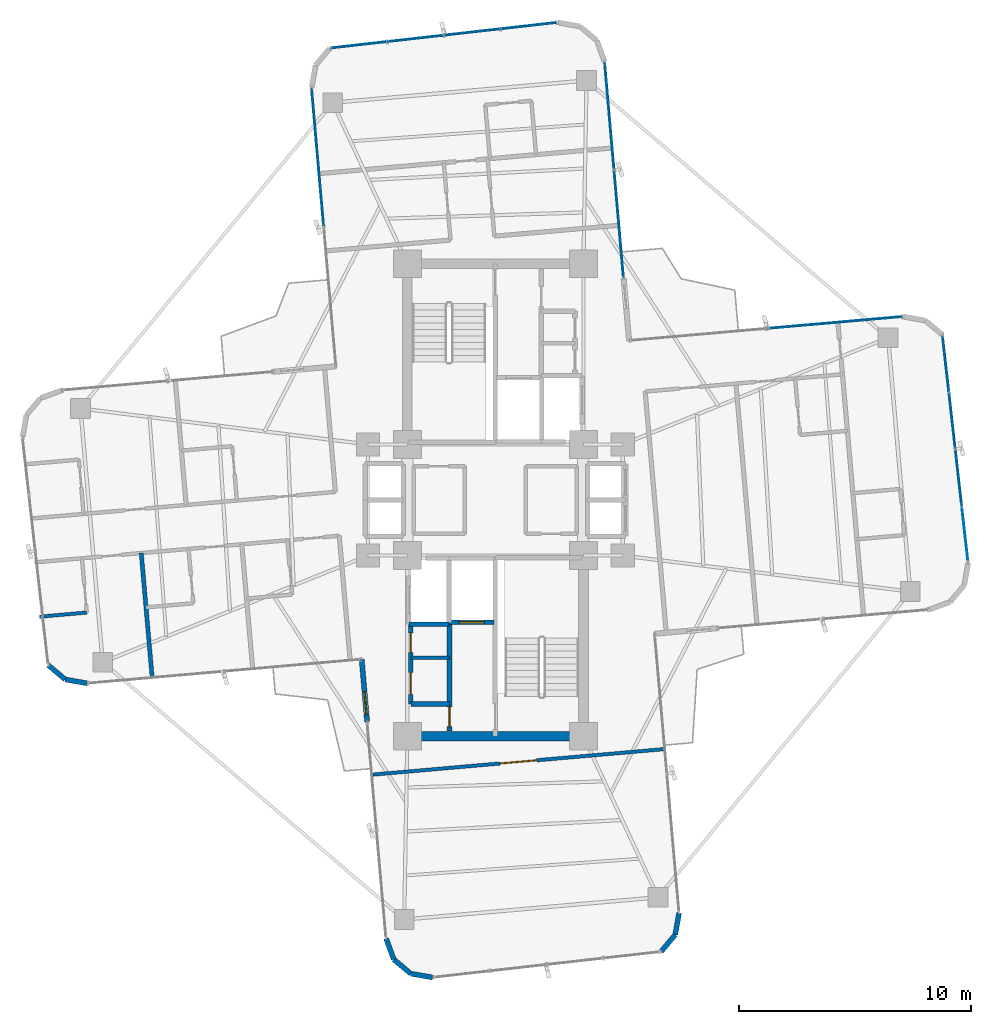
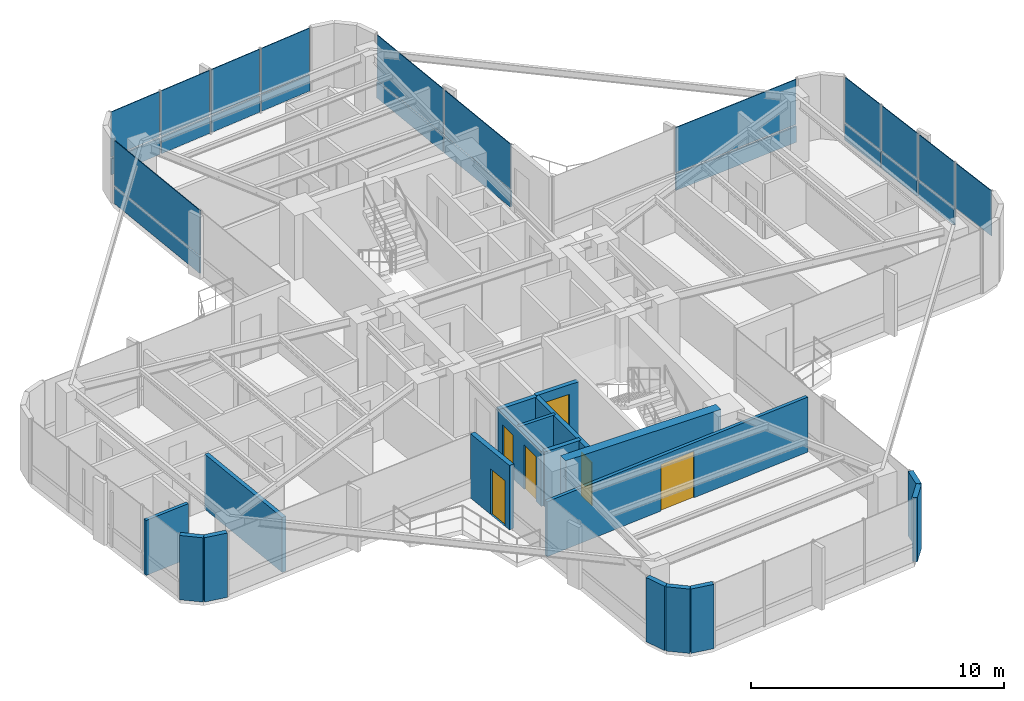
# One storey, part 20 of 24: 23 plates, 18 walls, 6 doors, 6 openings, 5 elements without a shape of their own.
"""IFC4 building model written with IfcOpenShell, lengths in metres."""

from ifc_helpers import new_model, si_unit, direction, frame, frame_2d, origin, origin_2d, place, context, subcontext, project, spatial, rectangle, extrude, source, transform, mapped, material, layer, layer_set, type_object, element, fill, aggregate, save


model = new_model("IFC4")

# Units and contexts
model_context = context("Model", 3, precision=1e-05, world=origin(), true_north=direction((0.0, 1.0)))
body_context = subcontext(model_context, "Body", "Model", "MODEL_VIEW")
ifc_project = project(units=[si_unit("LENGTHUNIT", "METRE"), si_unit("AREAUNIT", "SQUARE_METRE"), si_unit("VOLUMEUNIT", "CUBIC_METRE"), si_unit("PLANEANGLEUNIT", "RADIAN"), si_unit("MASSUNIT", "GRAM", prefix="KILO")], contexts=[model_context])

# Site, building, storey
site_placement = place(None, origin())
site = spatial("IfcSite", under=ifc_project, at=site_placement, CompositionType="ELEMENT")
building_placement = place(site_placement, origin())
building = spatial("IfcBuilding", under=site, at=building_placement, Name="Sahyath Konkavel Grand Hotel", CompositionType="ELEMENT")
storey_placement = place(building_placement, frame((0.0, 0.0, 178.550048828125)))
storey = spatial("IfcBuildingStorey", under=building, at=storey_placement, Name="L49", CompositionType="ELEMENT", Elevation=178.550048828125)

# Curtain wall, plates
ifc_material_1 = material(Name="Anodised Bronze Aluminium & Low-E Glazing", Category="aluminium")
curtain_wall_type = type_object("IfcCurtainWallType", Name="CW-ZONE3", PredefinedType="NOTDEFINED", material=ifc_material_1)
curtain_wall_1_placement = place(storey_placement, origin())
curtain_wall_1 = element("IfcCurtainWall", 1, at=curtain_wall_1_placement, inside=storey, type_object=curtain_wall_type, Name="L49 Unitised Curtain Wall F4", PredefinedType="NOTDEFINED")
ifc_material_2 = material(Name="Warm Buff Sandstone Cladding", Category="masonry")
ifc_layer_1 = layer(ifc_material_2, 0.074951171875)
ifc_layer_set_1 = layer_set([ifc_layer_1], Name="Warm Buff Sandstone Cladding")
plate_type_1 = type_object("IfcPlateType", Name="PNL-SPANDREL-STONE", PredefinedType="SHEET", material=ifc_layer_set_1)
shared_shape_1 = source(origin(), body_context, "Body", "SweptSolid", [
    extrude(rectangle(XDim=2.382080078125, YDim=0.074951171875, at=origin_2d()), origin(), (0.0, 0.0, 1.0), 0.77001953125),
])
plate_1_placement = place(storey_placement, frame((19.99755859375, 0.978515625, 0.0400390625), z_axis=(0.0, 0.0, 1.0), x_axis=(-0.111989252568, 0.993709417943, 0.0)))
plate_1 = element("IfcPlate", 2, at=plate_1_placement, type_object=plate_type_1, Name="L49 Sandstone Relief Spandrel Panel F4-1", PredefinedType="SHEET", context=body_context, shape_type="MappedRepresentation", body=[
    mapped(shared_shape_1, transform((0.0, 0.0, 0.0), scale=1.0)),
])
plate_2_placement = place(storey_placement, frame((19.7216796875, 3.425048828125, 0.0400390625), z_axis=(0.0, 0.0, 1.0), x_axis=(-0.111989252568, 0.993709417943, 0.0)))
plate_2 = element("IfcPlate", 3, at=plate_2_placement, type_object=plate_type_1, Name="L49 Sandstone Relief Spandrel Panel F4-2", PredefinedType="SHEET", context=body_context, shape_type="MappedRepresentation", body=[
    mapped(shared_shape_1, transform((0.0, 0.0, 0.0), scale=1.0)),
])
plate_3_placement = place(storey_placement, frame((19.446044921875, 5.87158203125, 0.0400390625), z_axis=(0.0, 0.0, 1.0), x_axis=(-0.111989252568, 0.993709417943, 0.0)))
plate_3 = element("IfcPlate", 4, at=plate_3_placement, type_object=plate_type_1, Name="L49 Sandstone Relief Spandrel Panel F4-3", PredefinedType="SHEET", context=body_context, shape_type="MappedRepresentation", body=[
    mapped(shared_shape_1, transform((0.0, 0.0, 0.0), scale=1.0)),
])

curtain_wall_2_placement = place(storey_placement, origin())
curtain_wall_2 = element("IfcCurtainWall", 5, at=curtain_wall_2_placement, inside=storey, type_object=curtain_wall_type, Name="L49 Unitised Curtain Wall F12", PredefinedType="NOTDEFINED")
plate_4_placement = place(storey_placement, frame((1.45068359375, 20.47265625, 0.0400390625), z_axis=(0.0, 0.0, 1.0), x_axis=(-0.993707463211, -0.112006596052, 0.0)))
plate_4 = element("IfcPlate", 6, at=plate_4_placement, type_object=plate_type_1, Name="L49 Sandstone Relief Spandrel Panel F12-0", PredefinedType="SHEET", context=body_context, shape_type="MappedRepresentation", body=[
    mapped(shared_shape_1, transform((0.0, 0.0, 0.0), scale=1.0)),
])
plate_5_placement = place(storey_placement, frame((-0.995849609375, 20.197021484375, 0.0400390625), z_axis=(0.0, 0.0, 1.0), x_axis=(-0.993707463211, -0.112006596052, 0.0)))
plate_5 = element("IfcPlate", 7, at=plate_5_placement, type_object=plate_type_1, Name="L49 Sandstone Relief Spandrel Panel F12-1", PredefinedType="SHEET", context=body_context, shape_type="MappedRepresentation", body=[
    mapped(shared_shape_1, transform((0.0, 0.0, 0.0), scale=1.0)),
])
plate_6_placement = place(storey_placement, frame((-3.4423828125, 19.921142578125, 0.0400390625), z_axis=(0.0, 0.0, 1.0), x_axis=(-0.993707463211, -0.112006596052, 0.0)))
plate_6 = element("IfcPlate", 8, at=plate_6_placement, type_object=plate_type_1, Name="L49 Sandstone Relief Spandrel Panel F12-2", PredefinedType="SHEET", context=body_context, shape_type="MappedRepresentation", body=[
    mapped(shared_shape_1, transform((0.0, 0.0, 0.0), scale=1.0)),
])
plate_7_placement = place(storey_placement, frame((-5.888916015625, 19.6455078125, 0.0400390625), z_axis=(0.0, 0.0, 1.0), x_axis=(-0.993707463211, -0.112006596052, 0.0)))
plate_7 = element("IfcPlate", 9, at=plate_7_placement, type_object=plate_type_1, Name="L49 Sandstone Relief Spandrel Panel F12-3", PredefinedType="SHEET", context=body_context, shape_type="MappedRepresentation", body=[
    mapped(shared_shape_1, transform((0.0, 0.0, 0.0), scale=1.0)),
])

# Curtain wall, plate
curtain_wall_3_placement = place(storey_placement, origin())
curtain_wall_3 = element("IfcCurtainWall", 10, at=curtain_wall_3_placement, inside=storey, type_object=curtain_wall_type, Name="L49 Unitised Curtain Wall F7", PredefinedType="NOTDEFINED")
shared_shape_2 = source(origin(), body_context, "Body", "SweptSolid", [
    extrude(rectangle(XDim=5.830078125, YDim=0.074951171875, at=origin_2d()), origin(), (0.0, 0.0, 1.0), 0.77001953125),
])
plate_8_placement = place(storey_placement, frame((14.6435546875, 7.655517578125, 0.0400390625), z_axis=(0.0, 0.0, 1.0), x_axis=(-0.996194698092, -0.087155742748, 0.0)))
plate_8 = element("IfcPlate", 11, at=plate_8_placement, type_object=plate_type_1, Name="L49 Sandstone Relief Spandrel Panel F7-0", PredefinedType="SHEET", context=body_context, shape_type="MappedRepresentation", body=[
    mapped(shared_shape_2, transform((0.0, 0.0, 0.0), scale=1.0)),
])

# Curtain wall, plates
curtain_wall_4_placement = place(storey_placement, origin())
curtain_wall_4 = element("IfcCurtainWall", 12, at=curtain_wall_4_placement, inside=storey, type_object=curtain_wall_type, Name="L49 Unitised Curtain Wall F8", PredefinedType="NOTDEFINED")
shared_shape_3 = source(origin(), body_context, "Body", "SweptSolid", [
    extrude(rectangle(XDim=4.580078125, YDim=0.074951171875, at=origin_2d()), origin(), (0.0, 0.0, 1.0), 0.77001953125),
])
plate_9_placement = place(storey_placement, frame((5.33056640625, 11.929931640625, 0.0400390625), z_axis=(0.0, 0.0, 1.0), x_axis=(-0.087155742748, 0.996194698092, 0.0)))
plate_9 = element("IfcPlate", 13, at=plate_9_placement, type_object=plate_type_1, Name="L49 Sandstone Relief Spandrel Panel F8-0", PredefinedType="SHEET", context=body_context, shape_type="MappedRepresentation", body=[
    mapped(shared_shape_3, transform((0.0, 0.0, 0.0), scale=1.0)),
])
plate_10_placement = place(storey_placement, frame((4.92431640625, 16.572265625, 0.0400390625), z_axis=(0.0, 0.0, 1.0), x_axis=(-0.087155742748, 0.996194698092, 0.0)))
plate_10 = element("IfcPlate", 14, at=plate_10_placement, type_object=plate_type_1, Name="L49 Sandstone Relief Spandrel Panel F8-1", PredefinedType="SHEET", context=body_context, shape_type="MappedRepresentation", body=[
    mapped(shared_shape_3, transform((0.0, 0.0, 0.0), scale=1.0)),
])

# Curtain wall, plate
curtain_wall_5_placement = place(storey_placement, origin())
curtain_wall_5 = element("IfcCurtainWall", 15, at=curtain_wall_5_placement, inside=storey, type_object=curtain_wall_type, Name="L49 Unitised Curtain Wall F15", PredefinedType="NOTDEFINED")
shared_shape_4 = source(origin(), body_context, "Body", "SweptSolid", [
    extrude(rectangle(XDim=5.929931640625, YDim=0.074951171875, at=origin_2d()), origin(), (0.0, 0.0, 1.0), 0.77001953125),
])
plate_11_placement = place(storey_placement, frame((-7.66845703125, 14.79296875, 0.0400390625), z_axis=(0.0, 0.0, 1.0), x_axis=(0.087155742748, -0.996194698092, 0.0)))
plate_11 = element("IfcPlate", 16, at=plate_11_placement, type_object=plate_type_1, Name="L49 Sandstone Relief Spandrel Panel F15-0", PredefinedType="SHEET", context=body_context, shape_type="MappedRepresentation", body=[
    mapped(shared_shape_4, transform((0.0, 0.0, 0.0), scale=1.0)),
])

# Plate
ifc_material_3 = material(Name="Low-E Solar Control Double Glazing", Category="glass")
ifc_layer_2 = layer(ifc_material_3, 0.035888671875)
ifc_layer_set_2 = layer_set([ifc_layer_2], Name="Low-E Solar Control Double Glazing")
plate_type_2 = type_object("IfcPlateType", Name="PNL-VISION-LOWE", PredefinedType="CURTAIN_PANEL", material=ifc_layer_set_2)
shared_shape_5 = source(origin(), body_context, "Body", "SweptSolid", [
    extrude(rectangle(XDim=2.382080078125, YDim=0.035888671875, at=origin_2d()), origin(), (0.0, 0.0, 1.0), 2.179931640625),
])
plate_12_placement = place(storey_placement, frame((20.2734375, -1.468017578125, 0.89013671875), z_axis=(0.0, 0.0, 1.0), x_axis=(-0.111989252568, 0.993709417943, 0.0)))
plate_12 = element("IfcPlate", 17, at=plate_12_placement, type_object=plate_type_2, Name="L49 Low-E Vision Glazing Panel F4-0", PredefinedType="CURTAIN_PANEL", context=body_context, shape_type="MappedRepresentation", body=[
    mapped(shared_shape_5, transform((0.0, 0.0, 0.0), scale=1.0)),
])

plate_13_placement = place(storey_placement, frame((19.99755859375, 0.978515625, 0.89013671875), z_axis=(0.0, 0.0, 1.0), x_axis=(-0.111989252568, 0.993709417943, 0.0)))
plate_13 = element("IfcPlate", 18, at=plate_13_placement, type_object=plate_type_2, Name="L49 Low-E Vision Glazing Panel F4-1", PredefinedType="CURTAIN_PANEL", context=body_context, shape_type="MappedRepresentation", body=[
    mapped(shared_shape_5, transform((0.0, 0.0, 0.0), scale=1.0)),
])

plate_14_placement = place(storey_placement, frame((19.7216796875, 3.425048828125, 0.89013671875), z_axis=(0.0, 0.0, 1.0), x_axis=(-0.111989252568, 0.993709417943, 0.0)))
plate_14 = element("IfcPlate", 19, at=plate_14_placement, type_object=plate_type_2, Name="L49 Low-E Vision Glazing Panel F4-2", PredefinedType="CURTAIN_PANEL", context=body_context, shape_type="MappedRepresentation", body=[
    mapped(shared_shape_5, transform((0.0, 0.0, 0.0), scale=1.0)),
])

plate_15_placement = place(storey_placement, frame((19.446044921875, 5.87158203125, 0.89013671875), z_axis=(0.0, 0.0, 1.0), x_axis=(-0.111989252568, 0.993709417943, 0.0)))
plate_15 = element("IfcPlate", 20, at=plate_15_placement, type_object=plate_type_2, Name="L49 Low-E Vision Glazing Panel F4-3", PredefinedType="CURTAIN_PANEL", context=body_context, shape_type="MappedRepresentation", body=[
    mapped(shared_shape_5, transform((0.0, 0.0, 0.0), scale=1.0)),
])

aggregate(curtain_wall_1, [plate_12, plate_1, plate_13, plate_2, plate_14, plate_3, plate_15])

plate_16_placement = place(storey_placement, frame((1.45068359375, 20.47265625, 0.89013671875), z_axis=(0.0, 0.0, 1.0), x_axis=(-0.993707463211, -0.112006596052, 0.0)))
plate_16 = element("IfcPlate", 21, at=plate_16_placement, type_object=plate_type_2, Name="L49 Low-E Vision Glazing Panel F12-0", PredefinedType="CURTAIN_PANEL", context=body_context, shape_type="MappedRepresentation", body=[
    mapped(shared_shape_5, transform((0.0, 0.0, 0.0), scale=1.0)),
])

plate_17_placement = place(storey_placement, frame((-0.995849609375, 20.197021484375, 0.89013671875), z_axis=(0.0, 0.0, 1.0), x_axis=(-0.993707463211, -0.112006596052, 0.0)))
plate_17 = element("IfcPlate", 22, at=plate_17_placement, type_object=plate_type_2, Name="L49 Low-E Vision Glazing Panel F12-1", PredefinedType="CURTAIN_PANEL", context=body_context, shape_type="MappedRepresentation", body=[
    mapped(shared_shape_5, transform((0.0, 0.0, 0.0), scale=1.0)),
])

plate_18_placement = place(storey_placement, frame((-3.4423828125, 19.921142578125, 0.89013671875), z_axis=(0.0, 0.0, 1.0), x_axis=(-0.993707463211, -0.112006596052, 0.0)))
plate_18 = element("IfcPlate", 23, at=plate_18_placement, type_object=plate_type_2, Name="L49 Low-E Vision Glazing Panel F12-2", PredefinedType="CURTAIN_PANEL", context=body_context, shape_type="MappedRepresentation", body=[
    mapped(shared_shape_5, transform((0.0, 0.0, 0.0), scale=1.0)),
])

plate_19_placement = place(storey_placement, frame((-5.888916015625, 19.6455078125, 0.89013671875), z_axis=(0.0, 0.0, 1.0), x_axis=(-0.993707463211, -0.112006596052, 0.0)))
plate_19 = element("IfcPlate", 24, at=plate_19_placement, type_object=plate_type_2, Name="L49 Low-E Vision Glazing Panel F12-3", PredefinedType="CURTAIN_PANEL", context=body_context, shape_type="MappedRepresentation", body=[
    mapped(shared_shape_5, transform((0.0, 0.0, 0.0), scale=1.0)),
])

aggregate(curtain_wall_2, [plate_4, plate_16, plate_5, plate_17, plate_6, plate_18, plate_7, plate_19])

shared_shape_6 = source(origin(), body_context, "Body", "SweptSolid", [
    extrude(rectangle(XDim=5.830078125, YDim=0.035888671875, at=origin_2d()), origin(), (0.0, 0.0, 1.0), 2.179931640625),
])
plate_20_placement = place(storey_placement, frame((14.6435546875, 7.655517578125, 0.89013671875), z_axis=(0.0, 0.0, 1.0), x_axis=(-0.996194698092, -0.087155742748, 0.0)))
plate_20 = element("IfcPlate", 25, at=plate_20_placement, type_object=plate_type_2, Name="L49 Low-E Vision Glazing Panel F7-0", PredefinedType="CURTAIN_PANEL", context=body_context, shape_type="MappedRepresentation", body=[
    mapped(shared_shape_6, transform((0.0, 0.0, 0.0), scale=1.0)),
])

aggregate(curtain_wall_3, [plate_8, plate_20])

shared_shape_7 = source(origin(), body_context, "Body", "SweptSolid", [
    extrude(rectangle(XDim=4.580078125, YDim=0.035888671875, at=origin_2d()), origin(), (0.0, 0.0, 1.0), 2.179931640625),
])
plate_21_placement = place(storey_placement, frame((5.33056640625, 11.929931640625, 0.89013671875), z_axis=(0.0, 0.0, 1.0), x_axis=(-0.087155742748, 0.996194698092, 0.0)))
plate_21 = element("IfcPlate", 26, at=plate_21_placement, type_object=plate_type_2, Name="L49 Low-E Vision Glazing Panel F8-0", PredefinedType="CURTAIN_PANEL", context=body_context, shape_type="MappedRepresentation", body=[
    mapped(shared_shape_7, transform((0.0, 0.0, 0.0), scale=1.0)),
])

plate_22_placement = place(storey_placement, frame((4.92431640625, 16.572265625, 0.89013671875), z_axis=(0.0, 0.0, 1.0), x_axis=(-0.087155742748, 0.996194698092, 0.0)))
plate_22 = element("IfcPlate", 27, at=plate_22_placement, type_object=plate_type_2, Name="L49 Low-E Vision Glazing Panel F8-1", PredefinedType="CURTAIN_PANEL", context=body_context, shape_type="MappedRepresentation", body=[
    mapped(shared_shape_7, transform((0.0, 0.0, 0.0), scale=1.0)),
])

aggregate(curtain_wall_4, [plate_9, plate_21, plate_10, plate_22])

shared_shape_8 = source(origin(), body_context, "Body", "SweptSolid", [
    extrude(rectangle(XDim=5.929931640625, YDim=0.035888671875, at=origin_2d()), origin(), (0.0, 0.0, 1.0), 2.179931640625),
])
plate_23_placement = place(storey_placement, frame((-7.66845703125, 14.79296875, 0.89013671875), z_axis=(0.0, 0.0, 1.0), x_axis=(0.087155742748, -0.996194698092, 0.0)))
plate_23 = element("IfcPlate", 28, at=plate_23_placement, type_object=plate_type_2, Name="L49 Low-E Vision Glazing Panel F15-0", PredefinedType="CURTAIN_PANEL", context=body_context, shape_type="MappedRepresentation", body=[
    mapped(shared_shape_8, transform((0.0, 0.0, 0.0), scale=1.0)),
])

aggregate(curtain_wall_5, [plate_11, plate_23])

# Walls
ifc_material_4 = material(Name="Concrete C50/60", Category="concrete")
ifc_layer_3 = layer(ifc_material_4, 0.419921875)
ifc_layer_set_3 = layer_set([ifc_layer_3], Name="Concrete C50/60")
wall_type_1 = type_object("IfcWallType", Name="CWALL-420", PredefinedType="SHEAR", material=ifc_layer_set_3)
wall_1_placement = place(storey_placement, frame((-3.550048828125, -10.199951171875, 0.0), z_axis=(0.0, 0.0, 1.0), x_axis=(1.0, 0.0, 0.0)))
element("IfcWall", 29, at=wall_1_placement, inside=storey, type_object=wall_type_1, Name="L49 South Core Shear Wall S", PredefinedType="SHEAR", context=body_context, shape_type="SweptSolid", body=[
    extrude(rectangle(XDim=7.10009765625, YDim=0.419921875, at=frame_2d((3.550048828125, 0.0))), origin(), (0.0, 0.0, 1.0), 3.10986328125),
])
ifc_material_5 = material(Name="Warm Buff Sandstone Insulated Concrete C40/50", Category="masonry")
ifc_layer_4 = layer(ifc_material_5, 0.219970703125)
ifc_layer_set_4 = layer_set([ifc_layer_4], Name="Warm Buff Sandstone Insulated Concrete C40/50")
wall_type_2 = type_object("IfcWallType", Name="WLL-BALC-THRESH", PredefinedType="STANDARD", material=ifc_layer_set_4)
wall_2_placement = place(storey_placement, frame((-19.3037109375, -7.134521484375, 0.0), z_axis=(0.0, 0.0, 1.0), x_axis=(0.766001159887, -0.642839189107, 0.0)))
element("IfcWall", 30, at=wall_2_placement, inside=storey, type_object=wall_type_2, Name="L49 Rounded Corner Sandstone Pier 21", PredefinedType="STANDARD", context=body_context, shape_type="SweptSolid", body=[
    extrude(rectangle(XDim=0.95751953125, YDim=0.219970703125, at=frame_2d((0.478759765625, 0.0))), origin(), (0.0, 0.0, 1.0), 3.10986328125),
])
wall_3_placement = place(storey_placement, frame((-18.5703125, -7.75, 0.0), z_axis=(0.0, 0.0, 1.0), x_axis=(0.984770724397, -0.173858046606, 0.0)))
element("IfcWall", 31, at=wall_3_placement, inside=storey, type_object=wall_type_2, Name="L49 Rounded Corner Sandstone Pier 22", PredefinedType="STANDARD", context=body_context, shape_type="SweptSolid", body=[
    extrude(rectangle(XDim=0.957763671875, YDim=0.219970703125, at=frame_2d((0.47900390625, 0.0))), origin(), (0.0, 0.0, 1.0), 3.10986328125),
])

# Wall, opening, door
wall_4_placement = place(storey_placement, frame((-5.7724609375, -6.87939453125, 0.0), z_axis=(0.0, 0.0, 1.0), x_axis=(0.087168071984, -0.996193619346, 0.0)))
wall_4 = element("IfcWall", 32, at=wall_4_placement, inside=storey, type_object=wall_type_2, Name="L49 Winter-Garden Threshold Wall 24", PredefinedType="STANDARD", context=body_context, shape_type="SweptSolid", body=[
    extrude(rectangle(XDim=2.699951171875, YDim=0.219970703125, at=frame_2d((1.35009765625, 0.0))), origin(), (0.0, 0.0, 1.0), 3.10986328125),
])
opening_1_placement = place(wall_4_placement, frame((1.39990234375, 0.0, 0.0)))
opening_1 = element("IfcOpeningElement", 33, at=opening_1_placement, cuts=wall_4, Name="Opening D-TR1", PredefinedType="OPENING", context=body_context, shape_type="SweptSolid", body=[
    extrude(rectangle(XDim=1.0, YDim=2.199951171875, at=frame_2d((0.5, 1.10009765625))), frame((0.0, 0.1201171875, 0.0), z_axis=(0.0, -1.0, 0.0), x_axis=(1.0, 0.0, 0.0)), (0.0, 0.0, 1.0), 0.239990234375),
])
door_type_1 = type_object("IfcDoorType", Name="DR-TERRACE-1000", OperationType="NOTDEFINED", PredefinedType="DOOR", material=ifc_material_1)
shared_shape_9 = source(origin(), body_context, "Body", "SweptSolid", [
    extrude(rectangle(XDim=1.0, YDim=0.050048828125, at=origin_2d()), origin(), (0.0, 0.0, 1.0), 2.199951171875),
])
door_1_placement = place(opening_1_placement, frame((0.5, 0.0, 0.0)))
door_1 = element("IfcDoor", 34, at=door_1_placement, inside=storey, type_object=door_type_1, Name="L49 Winter-Garden Terrace Door 24", OperationType="SINGLE_SWING_LEFT", OverallHeight=2.199951171875, OverallWidth=1.0, PredefinedType="DOOR", context=body_context, shape_type="MappedRepresentation", body=[
    mapped(shared_shape_9, transform((0.0, 0.0, 0.0), scale=1.0)),
])
fill(opening_1, door_1)

# Walls
wall_5_placement = place(storey_placement, frame((-4.7177734375, -18.93310546875, 0.0), z_axis=(0.0, 0.0, 1.0), x_axis=(0.34188635151, -0.939741306239, 0.0)))
element("IfcWall", 35, at=wall_5_placement, inside=storey, type_object=wall_type_2, Name="L49 Rounded Corner Sandstone Pier 25", PredefinedType="STANDARD", context=body_context, shape_type="SweptSolid", body=[
    extrude(rectangle(XDim=0.95751953125, YDim=0.219970703125, at=frame_2d((0.478759765625, 0.0))), origin(), (0.0, 0.0, 1.0), 3.10986328125),
])
for number, where, z_axis, x_axis, name in (
    (36, (-4.390380859375, -19.8330078125, 0.0), (0.0, 0.0, 1.0), (0.765980978054, -0.642863236823, 0.0), "L49 Rounded Corner Sandstone Pier 26"),
    (37, (-3.65673828125, -20.44873046875, 0.0), (0.0, 0.0, 1.0), (0.984814340885, -0.173610811841, 0.0), "L49 Rounded Corner Sandstone Pier 27"),
):
    element("IfcWall", number, at=place(storey_placement, frame(where, z_axis=z_axis, x_axis=x_axis)), inside=storey, type_object=wall_type_2, Name=name, PredefinedType="STANDARD", context=body_context, shape_type="SweptSolid", body=[
        extrude(rectangle(XDim=0.957763671875, YDim=0.219970703125, at=frame_2d((0.47900390625, 0.0))), origin(), (0.0, 0.0, 1.0), 3.10986328125),
    ])
for number, where, z_axis, x_axis, name in (
    (38, (7.152099609375, -19.5029296875, 0.0), (0.0, 0.0, 1.0), (0.642713642115, 0.766106503196, 0.0), "L49 Rounded Corner Sandstone Pier 29"),
    (39, (7.767578125, -18.769287109375, 0.0), (0.0, 0.0, 1.0), (0.173654409999, 0.984806654064, 0.0), "L49 Rounded Corner Sandstone Pier 30"),
):
    element("IfcWall", number, at=place(storey_placement, frame(where, z_axis=z_axis, x_axis=x_axis)), inside=storey, type_object=wall_type_2, Name=name, PredefinedType="STANDARD", context=body_context, shape_type="SweptSolid", body=[
        extrude(rectangle(XDim=0.95751953125, YDim=0.219970703125, at=frame_2d((0.478759765625, 0.0))), origin(), (0.0, 0.0, 1.0), 3.10986328125),
    ])

# Wall, opening, door
ifc_material_6 = material(Name="Concrete C40/50", Category="concrete")
ifc_layer_5 = layer(ifc_material_6, 0.199951171875)
ifc_layer_set_5 = layer_set([ifc_layer_5], Name="Concrete C40/50")
wall_type_3 = type_object("IfcWallType", Name="WLL-CORE-200", PredefinedType="SOLIDWALL", material=ifc_layer_set_5)
wall_6_placement = place(storey_placement, frame((-1.97998046875, -9.97998046875, 0.0), z_axis=(0.0, 0.0, 1.0), x_axis=(0.0, 1.0, 0.0)))
wall_6 = element("IfcWall", 40, at=wall_6_placement, inside=storey, type_object=wall_type_3, Name="L49 South Firefighting Lobby Wall W", PredefinedType="SOLIDWALL", context=body_context, shape_type="SweptSolid", body=[
    extrude(rectangle(XDim=4.659912109375, YDim=0.199951171875, at=frame_2d((2.330078125, 0.0))), origin(), (0.0, 0.0, 1.0), 2.659912109375),
])
opening_2_placement = place(wall_6_placement, frame((0.199951171875, 0.0, 0.0)))
opening_2 = element("IfcOpeningElement", 41, at=opening_2_placement, cuts=wall_6, Name="Opening D-F12D", PredefinedType="OPENING", context=body_context, shape_type="SweptSolid", body=[
    extrude(rectangle(XDim=0.85009765625, YDim=2.10009765625, at=frame_2d((0.425048828125, 1.050048828125))), frame((0.0, 0.10986328125, 0.0), z_axis=(0.0, -1.0, 0.0), x_axis=(1.0, 0.0, 0.0)), (0.0, 0.0, 1.0), 0.219970703125),
])
ifc_material_7 = material(Name="Steel E350 Core Fire Door", Category="steel")
door_type_2 = type_object("IfcDoorType", Name="DR-FD120-850", OperationType="NOTDEFINED", PredefinedType="DOOR", material=ifc_material_7)
shared_shape_10 = source(origin(), body_context, "Body", "SweptSolid", [
    extrude(rectangle(XDim=0.85009765625, YDim=0.050048828125, at=origin_2d()), origin(), (0.0, 0.0, 1.0), 2.10009765625),
])
door_2_placement = place(opening_2_placement, frame((0.425048828125, 0.0, 0.0)))
door_2 = element("IfcDoor", 42, at=door_2_placement, inside=storey, type_object=door_type_2, Name="L49 South Firefighting Lobby Door", OperationType="SINGLE_SWING_RIGHT", OverallHeight=2.10009765625, OverallWidth=0.85009765625, PredefinedType="DOOR", context=body_context, shape_type="MappedRepresentation", body=[
    mapped(shared_shape_10, transform((0.0, 0.0, 0.0), scale=1.0)),
])
fill(opening_2, door_2)

wall_7_placement = place(storey_placement, frame((-1.97998046875, -5.280029296875, 0.0), z_axis=(0.0, 0.0, 1.0), x_axis=(1.0, 0.0, 0.0)))
wall_7 = element("IfcWall", 43, at=wall_7_placement, inside=storey, type_object=wall_type_3, Name="L49 Partition SH-FFL2-S", PredefinedType="SOLIDWALL", context=body_context, shape_type="SweptSolid", body=[
    extrude(rectangle(XDim=1.929931640625, YDim=0.199951171875, at=frame_2d((0.96484375, 0.0))), origin(), (0.0, 0.0, 1.0), 2.659912109375),
])
opening_3_placement = place(wall_7_placement, frame((0.39990234375, 0.0, 0.0)))
opening_3 = element("IfcOpeningElement", 44, at=opening_3_placement, cuts=wall_7, Name="Opening LD-11", PredefinedType="OPENING", context=body_context, shape_type="SweptSolid", body=[
    extrude(rectangle(XDim=1.10009765625, YDim=2.199951171875, at=frame_2d((0.550048828125, 1.10009765625))), frame((0.0, 0.10986328125, 0.0), z_axis=(0.0, -1.0, 0.0), x_axis=(1.0, 0.0, 0.0)), (0.0, 0.0, 1.0), 0.219970703125),
])
ifc_material_8 = material(Name="Bronze Lift Landing Door 1100")
door_type_3 = type_object("IfcDoorType", Name="DR-LIFT-1100", OperationType="DOUBLE_DOOR_SLIDING", PredefinedType="DOOR", material=ifc_material_8)
shared_shape_11 = source(origin(), body_context, "Body", "SweptSolid", [
    extrude(rectangle(XDim=1.10009765625, YDim=0.050048828125, at=origin_2d()), origin(), (0.0, 0.0, 1.0), 2.199951171875),
])
door_3_placement = place(opening_3_placement, frame((0.550048828125, 0.0, 0.0)))
door_3 = element("IfcDoor", 45, at=door_3_placement, inside=storey, type_object=door_type_3, Name="L49 Lift FFL-2 Landing Door", OperationType="DOUBLE_DOOR_SLIDING", OverallHeight=2.199951171875, OverallWidth=1.10009765625, PredefinedType="DOOR", context=body_context, shape_type="MappedRepresentation", body=[
    mapped(shared_shape_11, transform((0.0, 0.0, 0.0), scale=1.0)),
])
fill(opening_3, door_3)

# Wall
wall_8_placement = place(storey_placement, frame((-3.739990234375, -5.360107421875, 0.0), z_axis=(0.0, 0.0, 1.0), x_axis=(1.0, 0.0, 0.0)))
element("IfcWall", 46, at=wall_8_placement, inside=storey, type_object=wall_type_3, Name="L49 Partition SH-SVL2-S", PredefinedType="SOLIDWALL", context=body_context, shape_type="SweptSolid", body=[
    extrude(rectangle(XDim=1.739990234375, YDim=0.199951171875, at=frame_2d((0.8701171875, 0.0))), origin(), (0.0, 0.0, 1.0), 2.659912109375),
])

# Wall, openings, doors
wall_9_placement = place(storey_placement, frame((-3.64990234375, -8.81005859375, 0.0), z_axis=(0.0, 0.0, 1.0), x_axis=(0.0, 1.0, 0.0)))
wall_9 = element("IfcWall", 47, at=wall_9_placement, inside=storey, type_object=wall_type_3, Name="L49 Reclaimed South Core Wall W", PredefinedType="SOLIDWALL", context=body_context, shape_type="SweptSolid", body=[
    extrude(rectangle(XDim=3.43017578125, YDim=0.199951171875, at=frame_2d((1.715087890625, 0.0))), origin(), (0.0, 0.0, 1.0), 2.659912109375),
])
opening_4_placement = place(wall_9_placement, frame((0.419921875, 0.0, 0.0)))
opening_4 = element("IfcOpeningElement", 48, at=opening_4_placement, cuts=wall_9, Name="Opening D-AC95", PredefinedType="OPENING", context=body_context, shape_type="SweptSolid", body=[
    extrude(rectangle(XDim=0.949951171875, YDim=2.14990234375, at=frame_2d((0.47509765625, 1.074951171875))), frame((0.0, 0.10986328125, 0.0), z_axis=(0.0, -1.0, 0.0), x_axis=(1.0, 0.0, 0.0)), (0.0, 0.0, 1.0), 0.219970703125),
])
opening_5_placement = place(wall_9_placement, frame((2.219970703125, 0.0, 0.0)))
opening_5 = element("IfcOpeningElement", 49, at=opening_5_placement, cuts=wall_9, Name="Opening D-F06D", PredefinedType="OPENING", context=body_context, shape_type="SweptSolid", body=[
    extrude(rectangle(XDim=0.85009765625, YDim=2.10009765625, at=frame_2d((0.425048828125, 1.050048828125))), frame((0.0, 0.10986328125, 0.0), z_axis=(0.0, -1.0, 0.0), x_axis=(1.0, 0.0, 0.0)), (0.0, 0.0, 1.0), 0.219970703125),
])
ifc_material_9 = material(Name="Accessible Washroom Timber Door", Category="wood")
door_type_4 = type_object("IfcDoorType", Name="DR-ACC-950", OperationType="NOTDEFINED", PredefinedType="DOOR", material=ifc_material_9)
shared_shape_12 = source(origin(), body_context, "Body", "SweptSolid", [
    extrude(rectangle(XDim=0.949951171875, YDim=0.050048828125, at=origin_2d()), origin(), (0.0, 0.0, 1.0), 2.14990234375),
])
door_4_placement = place(opening_4_placement, frame((0.47509765625, 0.0, 0.0)))
door_4 = element("IfcDoor", 50, at=door_4_placement, inside=storey, type_object=door_type_4, Name="L49 Door SC-REC1-D", OperationType="SINGLE_SWING_LEFT", OverallHeight=2.14990234375, OverallWidth=0.949951171875, PredefinedType="DOOR", context=body_context, shape_type="MappedRepresentation", body=[
    mapped(shared_shape_12, transform((0.0, 0.0, 0.0), scale=1.0)),
])
fill(opening_4, door_4)
ifc_material_10 = material(Name="Fire-Rated Shaft Access Door")
door_type_5 = type_object("IfcDoorType", Name="DR-FD60-850", OperationType="NOTDEFINED", PredefinedType="DOOR", material=ifc_material_10)
door_5_placement = place(opening_5_placement, frame((0.425048828125, 0.0, 0.0)))
door_5 = element("IfcDoor", 51, at=door_5_placement, inside=storey, type_object=door_type_5, Name="L49 Door SC-REC2-D", OperationType="SINGLE_SWING_RIGHT", OverallHeight=2.10009765625, OverallWidth=0.85009765625, PredefinedType="DOOR", context=body_context, shape_type="MappedRepresentation", body=[
    mapped(shared_shape_10, transform((0.0, 0.0, 0.0), scale=1.0)),
])
fill(opening_5, door_5)

# Walls
wall_10_placement = place(storey_placement, frame((-3.64990234375, -8.81005859375, 0.0), z_axis=(0.0, 0.0, 1.0), x_axis=(1.0, 0.0, 0.0)))
element("IfcWall", 52, at=wall_10_placement, inside=storey, type_object=wall_type_3, Name="L49 Partition SC-REC-S", PredefinedType="SOLIDWALL", context=body_context, shape_type="SweptSolid", body=[
    extrude(rectangle(XDim=1.669921875, YDim=0.199951171875, at=frame_2d((0.8349609375, 0.0))), origin(), (0.0, 0.0, 1.0), 2.659912109375),
])
ifc_material_11 = material(Name="Twin-Stud Acoustic Gypsum Plasterboard Partition")
ifc_layer_6 = layer(ifc_material_11, 0.179931640625)
ifc_layer_set_6 = layer_set([ifc_layer_6], Name="Twin-Stud Acoustic Gypsum Plasterboard Partition")
wall_type_4 = type_object("IfcWallType", Name="WLL-DEMISE-180", PredefinedType="PARTITIONING", material=ifc_layer_set_6)
wall_11_placement = place(storey_placement, frame((-15.28857421875, -2.291259765625, 0.0), z_axis=(0.0, 0.0, 1.0), x_axis=(0.087161289348, -0.996194212812, 0.0)))
element("IfcWall", 53, at=wall_11_placement, inside=storey, type_object=wall_type_4, Name="L49 Partition W-W2L-DEM", PredefinedType="PARTITIONING", context=body_context, shape_type="SweptSolid", body=[
    extrude(rectangle(XDim=5.349853515625, YDim=0.179931640625, at=frame_2d((2.6748046875, 0.0))), origin(), (0.0, 0.0, 1.0), 2.659912109375),
])
ifc_material_12 = material(Name="Fire-Rated Gypsum Plasterboard Partition")
ifc_layer_7 = layer(ifc_material_12, 0.14990234375)
ifc_layer_set_7 = layer_set([ifc_layer_7], Name="Fire-Rated Gypsum Plasterboard Partition")
wall_type_5 = type_object("IfcWallType", Name="WLL-PART-150", PredefinedType="PARTITIONING", material=ifc_layer_set_7)
wall_12_placement = place(storey_placement, frame((-3.64990234375, -6.81005859375, 0.0), z_axis=(0.0, 0.0, 1.0), x_axis=(1.0, 0.0, 0.0)))
element("IfcWall", 54, at=wall_12_placement, inside=storey, type_object=wall_type_5, Name="L49 Partition SC-REC-M1", PredefinedType="PARTITIONING", context=body_context, shape_type="SweptSolid", body=[
    extrude(rectangle(XDim=1.669921875, YDim=0.14990234375, at=frame_2d((0.8349609375, 0.0))), origin(), (0.0, 0.0, 1.0), 2.659912109375),
])
wall_13_placement = place(storey_placement, frame((-17.6435546875, -4.860107421875, 0.0), z_axis=(0.0, 0.0, 1.0), x_axis=(-0.99619307114, -0.087174336889, 0.0)))
element("IfcWall", 55, at=wall_13_placement, inside=storey, type_object=wall_type_5, Name="L49 Partition W-W3L-BF", PredefinedType="PARTITIONING", context=body_context, shape_type="SweptSolid", body=[
    extrude(rectangle(XDim=2.050048828125, YDim=0.14990234375, at=frame_2d((1.02490234375, 0.0))), origin(), (0.0, 0.0, 1.0), 2.659912109375),
])

# Wall, opening, door
wall_14_placement = place(storey_placement, frame((-5.286865234375, -11.85595703125, 0.0), z_axis=(0.0, 0.0, 1.0), x_axis=(0.996194790044, 0.087154691724, 0.0)))
wall_14 = element("IfcWall", 56, at=wall_14_placement, inside=storey, type_object=wall_type_5, Name="L49 Partition S-SAL-IN", PredefinedType="PARTITIONING", context=body_context, shape_type="SweptSolid", body=[
    extrude(rectangle(XDim=12.599853515625, YDim=0.14990234375, at=frame_2d((6.2998046875, 0.0))), origin(), (0.0, 0.0, 1.0), 2.659912109375),
])
opening_6_placement = place(wall_14_placement, frame((5.5, 0.0, 0.0)))
opening_6 = element("IfcOpeningElement", 57, at=opening_6_placement, cuts=wall_14, Name="Opening D-DB16", PredefinedType="OPENING", context=body_context, shape_type="SweptSolid", body=[
    extrude(rectangle(XDim=1.60009765625, YDim=2.25, at=frame_2d((0.800048828125, 1.125))), frame((0.0, 0.0849609375, 0.0), z_axis=(0.0, -1.0, 0.0), x_axis=(1.0, 0.0, 0.0)), (0.0, 0.0, 1.0), 0.169921875),
])
ifc_material_13 = material(Name="Double Leaf Lounge Glazed Timber Door", Category="wood")
door_type_6 = type_object("IfcDoorType", Name="DR-DBL-1600", OperationType="DOUBLE_DOOR_SINGLE_SWING", PredefinedType="DOOR", material=ifc_material_13)
shared_shape_13 = source(origin(), body_context, "Body", "SweptSolid", [
    extrude(rectangle(XDim=1.60009765625, YDim=0.050048828125, at=origin_2d()), origin(), (0.0, 0.0, 1.0), 2.25),
])
door_6_placement = place(opening_6_placement, frame((0.800048828125, 0.0, 0.0)))
door_6 = element("IfcDoor", 58, at=door_6_placement, inside=storey, type_object=door_type_6, Name="L49 Door S-SAL-D", OperationType="DOUBLE_DOOR_SINGLE_SWING", OverallHeight=2.25, OverallWidth=1.60009765625, PredefinedType="DOOR", context=body_context, shape_type="MappedRepresentation", body=[
    mapped(shared_shape_13, transform((0.0, 0.0, 0.0), scale=1.0)),
])
fill(opening_6, door_6)

save(model, "model.ifc")
